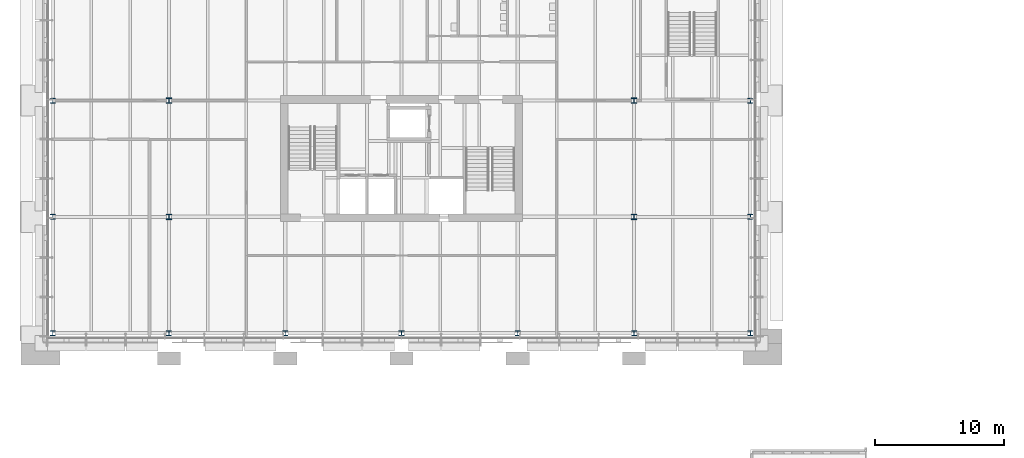
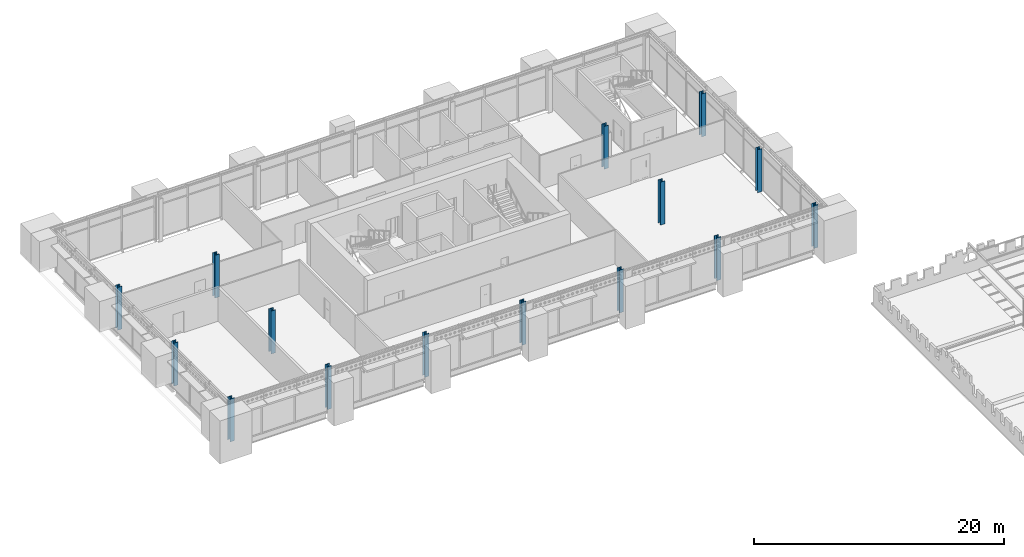
# One storey, part 6 of 153: 15 columns.
"""IFC4 building model written with IfcOpenShell, lengths in metres."""

import ifcopenshell
import ifcopenshell.guid

model = None  # the IFC model being written
_history = None  # IfcOwnerHistory: only IFC2X3 demands one
_inside = {}  # id of a spatial element -> (the spatial element, [elements in it])
_under = {}  # id of a project, library or spatial element -> (it, [spatial elements below it])
_declared = {}  # id of a project -> (the project, [libraries it declares])
_typed = {}  # id of a type object -> (the type object, [elements of that type])
_made_of = {}  # id of a material, layer set ... -> (it, [elements and type objects made of it])


def new_model(schema):
    """Start an empty IFC model of exactly this schema.

    Asked for "IFC4X3", IfcOpenShell would pick the latest addendum, in which some entities
    have other attributes; the version numbers below select the first issue.
    IFC2X3 requires an IfcOwnerHistory on every rooted entity: one is made here for all.
    """
    global model, _history
    if schema == "IFC4X3":
        model = ifcopenshell.file(schema_version=(4, 3, 0, 0))
    else:
        model = ifcopenshell.file(schema=schema)
    _inside.clear()
    _under.clear()
    _declared.clear()
    _typed.clear()
    _made_of.clear()
    _history = None
    if model.schema == "IFC2X3":
        org = make("IfcOrganization", Name="unknown")
        user = make(
            "IfcPersonAndOrganization",
            ThePerson=make("IfcPerson", FamilyName="unknown"),
            TheOrganization=org,
        )
        app = make(
            "IfcApplication",
            ApplicationDeveloper=org,
            Version="unknown",
            ApplicationFullName="unknown",
            ApplicationIdentifier="unknown",
        )
        _history = make(
            "IfcOwnerHistory",
            OwningUser=user,
            OwningApplication=app,
            ChangeAction="ADDED",
            CreationDate=0,
        )
    return model


def make(cls, **values):
    """One entity of the class cls with the attributes given. An attribute that is None is left unset."""
    return model.create_entity(
        cls, **{name: value for name, value in values.items() if value is not None}
    )


def rooted(cls, **values):
    """An entity with a GlobalId (a new one), such as an element, a storey or a relation."""
    return make(cls, GlobalId=ifcopenshell.guid.new(), OwnerHistory=_history, **values)


def si_unit(unit_type, name, prefix=None):
    """IfcSIUnit, for example si_unit("LENGTHUNIT", "METRE", prefix="MILLI")."""
    return make("IfcSIUnit", UnitType=unit_type, Prefix=prefix, Name=name)


def assignment(units):
    """IfcUnitAssignment: the units of a project."""
    return None if units is None else make("IfcUnitAssignment", Units=units)


def point(xyz):
    """IfcCartesianPoint."""
    return None if xyz is None else make("IfcCartesianPoint", Coordinates=xyz)


def direction(xyz):
    """IfcDirection."""
    return None if xyz is None else make("IfcDirection", DirectionRatios=xyz)


def frame(location, z_axis=None, x_axis=None):
    """IfcAxis2Placement3D, a coordinate frame: its origin and axes. An axis left out is left unset."""
    return make(
        "IfcAxis2Placement3D",
        Location=point(location),
        Axis=direction(z_axis),
        RefDirection=direction(x_axis),
    )


def frame_2d(location, x_axis=None):
    """IfcAxis2Placement2D, a coordinate frame in the plane: its origin and x axis."""
    return make(
        "IfcAxis2Placement2D", Location=point(location), RefDirection=direction(x_axis)
    )


def origin():
    """The frame at (0, 0, 0) with its axes left unset."""
    return frame((0.0, 0.0, 0.0))


def origin_2d():
    """The frame at (0, 0) in the plane with its x axis left unset."""
    return frame_2d((0.0, 0.0))


def place(relative_to, where):
    """IfcLocalPlacement: puts the frame where relative to a parent placement (None: the world)."""
    return make(
        "IfcLocalPlacement", PlacementRelTo=relative_to, RelativePlacement=where
    )


def context(
    kind, dimensions, precision=None, world=None, true_north=None, identifier=None
):
    """IfcGeometricRepresentationContext, for example the 3D "Model" context."""
    return make(
        "IfcGeometricRepresentationContext",
        ContextIdentifier=identifier,
        ContextType=kind,
        CoordinateSpaceDimension=dimensions,
        Precision=precision,
        WorldCoordinateSystem=world,
        TrueNorth=true_north,
    )


def subcontext(parent, identifier, kind, view, scale=None):
    """IfcGeometricRepresentationSubContext, for example "Body" below "Model"."""
    return make(
        "IfcGeometricRepresentationSubContext",
        ContextIdentifier=identifier,
        ContextType=kind,
        ParentContext=parent,
        TargetScale=scale,
        TargetView=view,
    )


def project(units=None, contexts=None):
    """IfcProject with its units and contexts."""
    return rooted(
        "IfcProject",
        Name="project",
        RepresentationContexts=contexts,
        UnitsInContext=assignment(units),
    )


def spatial(cls, under=None, at=None, **own):
    """A site, building, storey or space (cls), placed at a placement, below another one or the project."""
    s = rooted(cls, ObjectPlacement=at, **own)
    if under is not None:
        _under.setdefault(under.id(), (under, []))[1].append(s)
    return s


def profile(cls, at=None, kind="AREA", **sizes):
    """A parametric profile (cls). Its sizes go by their IFC names, for example OverallWidth=200.0."""
    return make(cls, ProfileType=kind, Position=at, **sizes)


def i_section(**sizes):
    """IfcIShapeProfileDef."""
    return profile("IfcIShapeProfileDef", **sizes)


def extrude(swept, where, along, depth):
    """IfcExtrudedAreaSolid: the profile swept, set in the frame where, extruded along a direction by depth."""
    return make(
        "IfcExtrudedAreaSolid",
        SweptArea=swept,
        Position=where,
        ExtrudedDirection=direction(along),
        Depth=depth,
    )


def shape(context_of_items, identifier, shape_type, items):
    """IfcShapeRepresentation: the items that make up one representation, for example the "Body"."""
    return make(
        "IfcShapeRepresentation",
        ContextOfItems=context_of_items,
        RepresentationIdentifier=identifier,
        RepresentationType=shape_type,
        Items=items,
    )


def material(Name=None, Category=None):
    """IfcMaterial."""
    return make("IfcMaterial", Name=Name, Category=Category)


def material_profile(
    of_material, cross_section, Name=None, Category=None, Priority=None
):
    """IfcMaterialProfile: a cross section and its material."""
    return make(
        "IfcMaterialProfile",
        Name=Name,
        Material=of_material,
        Profile=cross_section,
        Priority=Priority,
        Category=Category,
    )


def profile_set(profiles, Name=None, composite=None):
    """IfcMaterialProfileSet."""
    return make(
        "IfcMaterialProfileSet",
        Name=Name,
        MaterialProfiles=profiles,
        CompositeProfile=composite,
    )


def made_of(thing, what):
    """Note that an element or type object is made of a material, layer set ...; save() writes the relation."""
    if what is not None:
        _made_of.setdefault(what.id(), (what, []))[1].append(thing)
    return thing


def type_object(cls, material=None, **own):
    """A type object (cls), such as IfcWallType, which elements share."""
    return made_of(rooted(cls, **own), material)


def element(
    cls,
    number,
    at=None,
    inside=None,
    cuts=None,
    type_object=None,
    material=None,
    context=None,
    identifier="Body",
    shape_type=None,
    held_by="IfcProductDefinitionShape",
    body=None,
    shapes=None,
    **own,
):
    """One element of the class cls, such as IfcWall. Its Tag is "e" and its number.

    at: its placement. inside: the storey or other place that contains it. cuts: it is an
    opening in that element (IfcRelVoidsElement). A single representation is given by context,
    identifier, shape_type and body (its items); several are given by shapes. held_by: the class
    of the entity that holds the representations. save() writes the other relations.
    """
    e = rooted(cls, Tag="e%d" % number, ObjectPlacement=at, **own)
    if body is not None:
        shapes = [shape(context, identifier, shape_type, body)]
    if shapes is not None:
        e.Representation = make(held_by, Representations=shapes)
    if inside is not None:
        _inside.setdefault(inside.id(), (inside, []))[1].append(e)
    if cuts is not None:
        rooted(
            "IfcRelVoidsElement", RelatingBuildingElement=cuts, RelatedOpeningElement=e
        )
    if type_object is not None:
        _typed.setdefault(type_object.id(), (type_object, []))[1].append(e)
    return made_of(e, material)


def aggregate(whole, parts):
    """IfcRelAggregates: a whole, such as a stair, and the parts it consists of."""
    return rooted("IfcRelAggregates", RelatingObject=whole, RelatedObjects=parts)


def save(model, path):
    """Write the relations noted so far, then the file.

    IfcRelAggregates (storeys below a building ...), IfcRelContainedInSpatialStructure (elements
    in a storey), IfcRelDefinesByType, IfcRelAssociatesMaterial and IfcRelDeclares: one each for
    every whole, place, type object, material and project.
    """
    for whole, parts in _under.values():
        aggregate(whole, parts)
    for where, things in _inside.values():
        rooted(
            "IfcRelContainedInSpatialStructure",
            RelatedElements=things,
            RelatingStructure=where,
        )
    for kind, things in _typed.values():
        rooted("IfcRelDefinesByType", RelatedObjects=things, RelatingType=kind)
    for what, things in _made_of.values():
        rooted("IfcRelAssociatesMaterial", RelatedObjects=things, RelatingMaterial=what)
    for by, libraries in _declared.values():
        rooted("IfcRelDeclares", RelatingContext=by, RelatedDefinitions=libraries)
    model.write(path)


model = new_model("IFC4")

# Units and contexts
model_context = context("Model", 3, precision=1e-05, world=origin(), true_north=direction((0.0, 1.0)))
body_context = subcontext(model_context, "Body", "Model", "MODEL_VIEW")
ifc_project = project(units=[si_unit("LENGTHUNIT", "METRE"), si_unit("AREAUNIT", "SQUARE_METRE"), si_unit("VOLUMEUNIT", "CUBIC_METRE"), si_unit("PLANEANGLEUNIT", "RADIAN"), si_unit("MASSUNIT", "GRAM", prefix="KILO")], contexts=[model_context])

# Site, building, storey
site_placement = place(None, origin())
site = spatial("IfcSite", under=ifc_project, at=site_placement, CompositionType="ELEMENT")
building_placement = place(site_placement, origin())
building = spatial("IfcBuilding", under=site, at=building_placement, Name="Baradari Gate Terminus", CompositionType="ELEMENT")
storey_placement = place(building_placement, frame((0.0, 0.0, 11.699951171875)))
storey = spatial("IfcBuildingStorey", under=building, at=storey_placement, Name="L02", CompositionType="ELEMENT", Elevation=11.699951171875)

# Columns
ifc_material_1 = material(Name="Steel S355", Category="steel")
ifc_material_profile_1 = material_profile(ifc_material_1, i_section(OverallWidth=0.403076171875, OverallDepth=0.406494140625, WebThickness=0.026611328125, FlangeThickness=0.04296875, FilletRadius=0.01513671875, at=origin_2d()), Name="UC 356x406x340")
ifc_profile_set_1 = profile_set([ifc_material_profile_1], Name="Steel S355")
column_type_1 = type_object("IfcColumnType", Name="Operations block column C19 UC 356x406x340", PredefinedType="COLUMN", material=ifc_profile_set_1)
for number, where, z_axis, x_axis, name in (
    (1, (18.0, 126.0, 0.0), (0.0, 0.0, 1.0), (1.0, 0.0, 0.0), "C19 column 3-Q L02"),
    (2, (18.0, 135.0, 0.0), (0.0, 0.0, 1.0), (1.0, 0.0, 0.0), "C19 column 3-R L02"),
    (3, (54.0, 126.0, 0.0), (0.0, 0.0, 1.0), (1.0, 0.0, 0.0), "C19 column 7-Q L02"),
    (4, (54.0, 135.0, 0.0), (0.0, 0.0, 1.0), (1.0, 0.0, 0.0), "C19 column 7-R L02"),
):
    element("IfcColumn", number, at=place(storey_placement, frame(where, z_axis=z_axis, x_axis=x_axis)), inside=storey, type_object=column_type_1, Name=name, PredefinedType="COLUMN", context=body_context, shape_type="SweptSolid", body=[
        extrude(i_section(OverallWidth=0.403076171875, OverallDepth=0.406494140625, WebThickness=0.026611328125, FlangeThickness=0.04296875, FilletRadius=0.01513671875, at=origin_2d()), origin(), (0.0, 0.0, 1.0), 4.199951171875),
    ])
ifc_material_2 = material(Name="Steel S355", Category="steel")
ifc_material_profile_2 = material_profile(ifc_material_2, i_section(OverallWidth=0.394775390625, OverallDepth=0.381103515625, WebThickness=0.018310546875, FlangeThickness=0.0302734375, FilletRadius=0.01513671875, at=origin_2d()), Name="UC 356x406x235")
ifc_profile_set_2 = profile_set([ifc_material_profile_2], Name="Steel S355")
column_type_2 = type_object("IfcColumnType", Name="Operations block perimeter column C18 UC 356x406x235", PredefinedType="COLUMN", material=ifc_profile_set_2)
for number, where, z_axis, x_axis, name in (
    (5, (9.0, 117.0, 0.0), (0.0, 0.0, 1.0), (1.0, 0.0, 0.0), "C18 column 2-P L02"),
    (6, (9.0, 126.0, 0.0), (0.0, 0.0, 1.0), (1.0, 0.0, 0.0), "C18 column 2-Q L02"),
    (7, (9.0, 135.0, 0.0), (0.0, 0.0, 1.0), (1.0, 0.0, 0.0), "C18 column 2-R L02"),
    (8, (18.0, 117.0, 0.0), (0.0, 0.0, 1.0), (1.0, 0.0, 0.0), "C18 column 3-P L02"),
    (9, (27.0, 117.0, 0.0), (0.0, 0.0, 1.0), (1.0, 0.0, 0.0), "C18 column 4-P L02"),
    (10, (36.0, 117.0, 0.0), (0.0, 0.0, 1.0), (1.0, 0.0, 0.0), "C18 column 5-P L02"),
    (11, (45.0, 117.0, 0.0), (0.0, 0.0, 1.0), (1.0, 0.0, 0.0), "C18 column 6-P L02"),
    (12, (54.0, 117.0, 0.0), (0.0, 0.0, 1.0), (1.0, 0.0, 0.0), "C18 column 7-P L02"),
    (13, (63.0, 117.0, 0.0), (0.0, 0.0, 1.0), (1.0, 0.0, 0.0), "C18 column 8-P L02"),
    (14, (63.0, 126.0, 0.0), (0.0, 0.0, 1.0), (1.0, 0.0, 0.0), "C18 column 8-Q L02"),
    (15, (63.0, 135.0, 0.0), (0.0, 0.0, 1.0), (1.0, 0.0, 0.0), "C18 column 8-R L02"),
):
    element("IfcColumn", number, at=place(storey_placement, frame(where, z_axis=z_axis, x_axis=x_axis)), inside=storey, type_object=column_type_2, Name=name, PredefinedType="COLUMN", context=body_context, shape_type="SweptSolid", body=[
        extrude(i_section(OverallWidth=0.394775390625, OverallDepth=0.381103515625, WebThickness=0.018310546875, FlangeThickness=0.0302734375, FilletRadius=0.01513671875, at=origin_2d()), origin(), (0.0, 0.0, 1.0), 4.199951171875),
    ])

save(model, "model.ifc")
